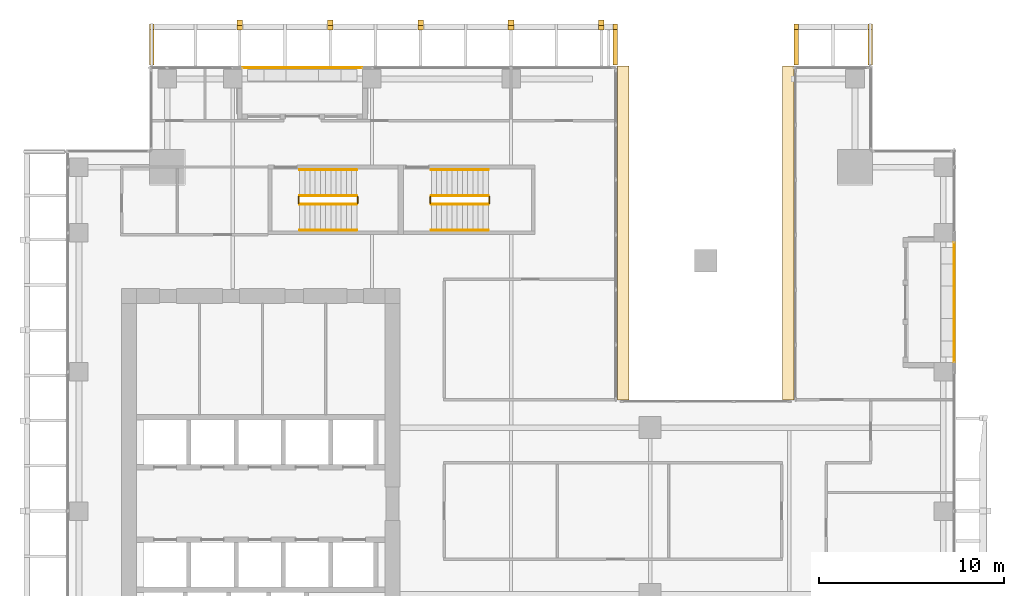
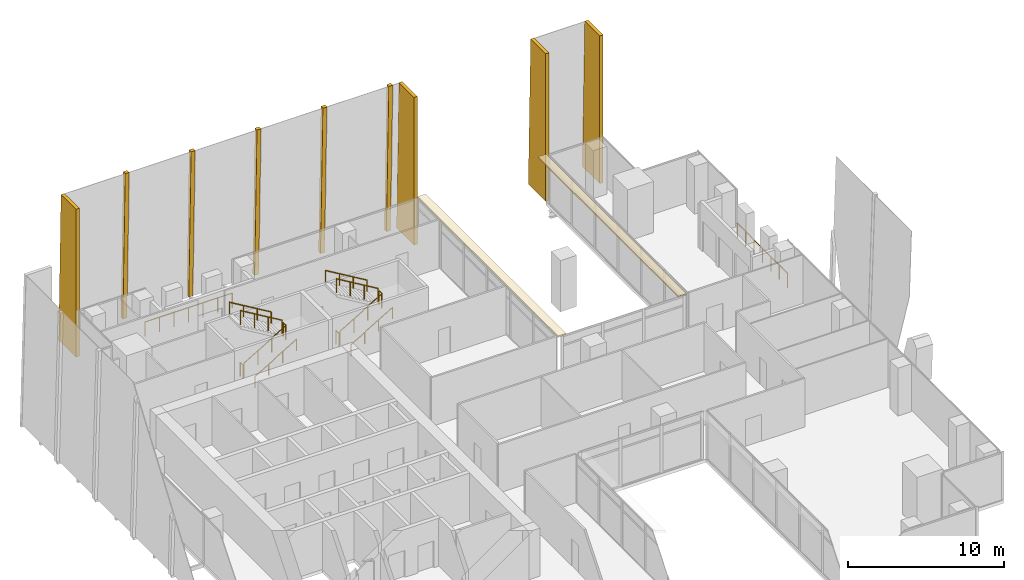
# One storey, part 39 of 40: 14 railings, 11 coverings.
"""IFC4 building model written with IfcOpenShell, lengths in metres."""

import ifcopenshell
import ifcopenshell.guid

model = None  # the IFC model being written
_history = None  # IfcOwnerHistory: only IFC2X3 demands one
_inside = {}  # id of a spatial element -> (the spatial element, [elements in it])
_under = {}  # id of a project, library or spatial element -> (it, [spatial elements below it])
_declared = {}  # id of a project -> (the project, [libraries it declares])
_typed = {}  # id of a type object -> (the type object, [elements of that type])
_made_of = {}  # id of a material, layer set ... -> (it, [elements and type objects made of it])


def new_model(schema):
    """Start an empty IFC model of exactly this schema.

    Asked for "IFC4X3", IfcOpenShell would pick the latest addendum, in which some entities
    have other attributes; the version numbers below select the first issue.
    IFC2X3 requires an IfcOwnerHistory on every rooted entity: one is made here for all.
    """
    global model, _history
    if schema == "IFC4X3":
        model = ifcopenshell.file(schema_version=(4, 3, 0, 0))
    else:
        model = ifcopenshell.file(schema=schema)
    _inside.clear()
    _under.clear()
    _declared.clear()
    _typed.clear()
    _made_of.clear()
    _history = None
    if model.schema == "IFC2X3":
        org = make("IfcOrganization", Name="unknown")
        user = make(
            "IfcPersonAndOrganization",
            ThePerson=make("IfcPerson", FamilyName="unknown"),
            TheOrganization=org,
        )
        app = make(
            "IfcApplication",
            ApplicationDeveloper=org,
            Version="unknown",
            ApplicationFullName="unknown",
            ApplicationIdentifier="unknown",
        )
        _history = make(
            "IfcOwnerHistory",
            OwningUser=user,
            OwningApplication=app,
            ChangeAction="ADDED",
            CreationDate=0,
        )
    return model


def make(cls, **values):
    """One entity of the class cls with the attributes given. An attribute that is None is left unset."""
    return model.create_entity(
        cls, **{name: value for name, value in values.items() if value is not None}
    )


def rooted(cls, **values):
    """An entity with a GlobalId (a new one), such as an element, a storey or a relation."""
    return make(cls, GlobalId=ifcopenshell.guid.new(), OwnerHistory=_history, **values)


def si_unit(unit_type, name, prefix=None):
    """IfcSIUnit, for example si_unit("LENGTHUNIT", "METRE", prefix="MILLI")."""
    return make("IfcSIUnit", UnitType=unit_type, Prefix=prefix, Name=name)


def assignment(units):
    """IfcUnitAssignment: the units of a project."""
    return None if units is None else make("IfcUnitAssignment", Units=units)


def point(xyz):
    """IfcCartesianPoint."""
    return None if xyz is None else make("IfcCartesianPoint", Coordinates=xyz)


def direction(xyz):
    """IfcDirection."""
    return None if xyz is None else make("IfcDirection", DirectionRatios=xyz)


def frame(location, z_axis=None, x_axis=None):
    """IfcAxis2Placement3D, a coordinate frame: its origin and axes. An axis left out is left unset."""
    return make(
        "IfcAxis2Placement3D",
        Location=point(location),
        Axis=direction(z_axis),
        RefDirection=direction(x_axis),
    )


def frame_2d(location, x_axis=None):
    """IfcAxis2Placement2D, a coordinate frame in the plane: its origin and x axis."""
    return make(
        "IfcAxis2Placement2D", Location=point(location), RefDirection=direction(x_axis)
    )


def origin():
    """The frame at (0, 0, 0) with its axes left unset."""
    return frame((0.0, 0.0, 0.0))


def origin_2d():
    """The frame at (0, 0) in the plane with its x axis left unset."""
    return frame_2d((0.0, 0.0))


def place(relative_to, where):
    """IfcLocalPlacement: puts the frame where relative to a parent placement (None: the world)."""
    return make(
        "IfcLocalPlacement", PlacementRelTo=relative_to, RelativePlacement=where
    )


def context(
    kind, dimensions, precision=None, world=None, true_north=None, identifier=None
):
    """IfcGeometricRepresentationContext, for example the 3D "Model" context."""
    return make(
        "IfcGeometricRepresentationContext",
        ContextIdentifier=identifier,
        ContextType=kind,
        CoordinateSpaceDimension=dimensions,
        Precision=precision,
        WorldCoordinateSystem=world,
        TrueNorth=true_north,
    )


def subcontext(parent, identifier, kind, view, scale=None):
    """IfcGeometricRepresentationSubContext, for example "Body" below "Model"."""
    return make(
        "IfcGeometricRepresentationSubContext",
        ContextIdentifier=identifier,
        ContextType=kind,
        ParentContext=parent,
        TargetScale=scale,
        TargetView=view,
    )


def project(units=None, contexts=None):
    """IfcProject with its units and contexts."""
    return rooted(
        "IfcProject",
        Name="project",
        RepresentationContexts=contexts,
        UnitsInContext=assignment(units),
    )


def spatial(cls, under=None, at=None, **own):
    """A site, building, storey or space (cls), placed at a placement, below another one or the project."""
    s = rooted(cls, ObjectPlacement=at, **own)
    if under is not None:
        _under.setdefault(under.id(), (under, []))[1].append(s)
    return s


def polyline(points):
    """IfcPolyline through the points."""
    return make("IfcPolyline", Points=[point(p) for p in points])


def profile(cls, at=None, kind="AREA", **sizes):
    """A parametric profile (cls). Its sizes go by their IFC names, for example OverallWidth=200.0."""
    return make(cls, ProfileType=kind, Position=at, **sizes)


def circle(**sizes):
    """IfcCircleProfileDef."""
    return profile("IfcCircleProfileDef", **sizes)


def outline(outer, holes=None, kind="AREA"):
    """IfcArbitraryClosedProfileDef: a profile drawn as a closed curve; with holes, ...WithVoids."""
    if holes is None:
        return make("IfcArbitraryClosedProfileDef", ProfileType=kind, OuterCurve=outer)
    return make(
        "IfcArbitraryProfileDefWithVoids",
        ProfileType=kind,
        OuterCurve=outer,
        InnerCurves=holes,
    )


def extrude(swept, where, along, depth):
    """IfcExtrudedAreaSolid: the profile swept, set in the frame where, extruded along a direction by depth."""
    return make(
        "IfcExtrudedAreaSolid",
        SweptArea=swept,
        Position=where,
        ExtrudedDirection=direction(along),
        Depth=depth,
    )


def shape(context_of_items, identifier, shape_type, items):
    """IfcShapeRepresentation: the items that make up one representation, for example the "Body"."""
    return make(
        "IfcShapeRepresentation",
        ContextOfItems=context_of_items,
        RepresentationIdentifier=identifier,
        RepresentationType=shape_type,
        Items=items,
    )


def source(mapping_origin, context_of_items, identifier, shape_type, items):
    """IfcRepresentationMap: a shape defined once, which mapped items show again and again."""
    return make(
        "IfcRepresentationMap",
        MappingOrigin=mapping_origin,
        MappedRepresentation=shape(context_of_items, identifier, shape_type, items),
    )


def transform(
    local_origin,
    x_axis=None,
    y_axis=None,
    z_axis=None,
    scale=None,
    scale2=None,
    scale3=None,
    uniform=True,
):
    """IfcCartesianTransformationOperator3D, or its non-uniform kind. x_axis, y_axis, z_axis: its Axis1, 2, 3."""
    if uniform:
        return make(
            "IfcCartesianTransformationOperator3D",
            Axis1=direction(x_axis),
            Axis2=direction(y_axis),
            LocalOrigin=point(local_origin),
            Scale=scale,
            Axis3=direction(z_axis),
        )
    return make(
        "IfcCartesianTransformationOperator3DnonUniform",
        Axis1=direction(x_axis),
        Axis2=direction(y_axis),
        LocalOrigin=point(local_origin),
        Scale=scale,
        Axis3=direction(z_axis),
        Scale2=scale2,
        Scale3=scale3,
    )


def mapped(mapping_source, mapping_target):
    """IfcMappedItem: shows the shape of a source again, moved by a transform."""
    return make(
        "IfcMappedItem", MappingSource=mapping_source, MappingTarget=mapping_target
    )


def material(Name=None, Category=None):
    """IfcMaterial."""
    return make("IfcMaterial", Name=Name, Category=Category)


def layer(
    of_material, thickness, ventilated=None, Name=None, Category=None, Priority=None
):
    """IfcMaterialLayer: one layer of a wall or slab, of a material (None: an air gap)."""
    return make(
        "IfcMaterialLayer",
        Material=of_material,
        LayerThickness=thickness,
        IsVentilated=ventilated,
        Name=Name,
        Category=Category,
        Priority=Priority,
    )


def layer_set(layers, Name=None):
    """IfcMaterialLayerSet."""
    return make("IfcMaterialLayerSet", MaterialLayers=layers, LayerSetName=Name)


def made_of(thing, what):
    """Note that an element or type object is made of a material, layer set ...; save() writes the relation."""
    if what is not None:
        _made_of.setdefault(what.id(), (what, []))[1].append(thing)
    return thing


def type_object(cls, material=None, **own):
    """A type object (cls), such as IfcWallType, which elements share."""
    return made_of(rooted(cls, **own), material)


def element(
    cls,
    number,
    at=None,
    inside=None,
    cuts=None,
    type_object=None,
    material=None,
    context=None,
    identifier="Body",
    shape_type=None,
    held_by="IfcProductDefinitionShape",
    body=None,
    shapes=None,
    **own,
):
    """One element of the class cls, such as IfcWall. Its Tag is "e" and its number.

    at: its placement. inside: the storey or other place that contains it. cuts: it is an
    opening in that element (IfcRelVoidsElement). A single representation is given by context,
    identifier, shape_type and body (its items); several are given by shapes. held_by: the class
    of the entity that holds the representations. save() writes the other relations.
    """
    e = rooted(cls, Tag="e%d" % number, ObjectPlacement=at, **own)
    if body is not None:
        shapes = [shape(context, identifier, shape_type, body)]
    if shapes is not None:
        e.Representation = make(held_by, Representations=shapes)
    if inside is not None:
        _inside.setdefault(inside.id(), (inside, []))[1].append(e)
    if cuts is not None:
        rooted(
            "IfcRelVoidsElement", RelatingBuildingElement=cuts, RelatedOpeningElement=e
        )
    if type_object is not None:
        _typed.setdefault(type_object.id(), (type_object, []))[1].append(e)
    return made_of(e, material)


def aggregate(whole, parts):
    """IfcRelAggregates: a whole, such as a stair, and the parts it consists of."""
    return rooted("IfcRelAggregates", RelatingObject=whole, RelatedObjects=parts)


def save(model, path):
    """Write the relations noted so far, then the file.

    IfcRelAggregates (storeys below a building ...), IfcRelContainedInSpatialStructure (elements
    in a storey), IfcRelDefinesByType, IfcRelAssociatesMaterial and IfcRelDeclares: one each for
    every whole, place, type object, material and project.
    """
    for whole, parts in _under.values():
        aggregate(whole, parts)
    for where, things in _inside.values():
        rooted(
            "IfcRelContainedInSpatialStructure",
            RelatedElements=things,
            RelatingStructure=where,
        )
    for kind, things in _typed.values():
        rooted("IfcRelDefinesByType", RelatedObjects=things, RelatingType=kind)
    for what, things in _made_of.values():
        rooted("IfcRelAssociatesMaterial", RelatedObjects=things, RelatingMaterial=what)
    for by, libraries in _declared.values():
        rooted("IfcRelDeclares", RelatingContext=by, RelatedDefinitions=libraries)
    model.write(path)


model = new_model("IFC4")

# Units and contexts
model_context = context("Model", 3, precision=1e-05, world=origin(), true_north=direction((0.0, 1.0)))
body_context = subcontext(model_context, "Body", "Model", "MODEL_VIEW")
ifc_project = project(units=[si_unit("LENGTHUNIT", "METRE"), si_unit("AREAUNIT", "SQUARE_METRE"), si_unit("VOLUMEUNIT", "CUBIC_METRE"), si_unit("PLANEANGLEUNIT", "RADIAN"), si_unit("MASSUNIT", "GRAM", prefix="KILO")], contexts=[model_context])

# Site, building, storey
site_placement = place(None, origin())
site = spatial("IfcSite", under=ifc_project, at=site_placement, CompositionType="ELEMENT")
building_placement = place(site_placement, origin())
building = spatial("IfcBuilding", under=site, at=building_placement, Name="Khomas Fold Tower", CompositionType="ELEMENT")
storey_placement = place(building_placement, frame((0.0, 0.0, 176.699951171875)))
storey = spatial("IfcBuildingStorey", under=building, at=storey_placement, Name="L38", CompositionType="ELEMENT", Elevation=176.699951171875)

# Coverings
ifc_material_1 = material(Name="Natural stone cladding", Category="masonry")
ifc_layer_1 = layer(ifc_material_1, 0.25)
ifc_layer_set_1 = layer_set([ifc_layer_1], Name="Natural stone cladding")
covering_type_1 = type_object("IfcCoveringType", Name="SK-Karibib marble stone mullion", PredefinedType="CLADDING", material=ifc_layer_set_1)
for number, where, z_axis, x_axis, name in (
    (1, (12.22509765625, 53.480712890625, 0.006591796875), (0.0, 0.999657230839, 0.026180543005), (1.0, 0.0, 0.0), "OUTER SKIN mullion L38 N2"),
    (2, (17.10009765625, 53.480712890625, 0.006591796875), (0.0, 0.999657230839, 0.026180543005), (1.0, 0.0, 0.0), "OUTER SKIN mullion L38 N4"),
    (3, (21.97509765625, 53.480712890625, 0.006591796875), (0.0, 0.999657230839, 0.026180543005), (1.0, 0.0, 0.0), "OUTER SKIN mullion L38 N6"),
    (4, (26.85009765625, 53.480712890625, 0.006591796875), (0.0, 0.999657230839, 0.026180543005), (1.0, 0.0, 0.0), "OUTER SKIN mullion L38 N8"),
    (5, (31.72509765625, 53.480712890625, 0.006591796875), (0.0, 0.999657230839, 0.026180543005), (1.0, 0.0, 0.0), "OUTER SKIN mullion L38 N10"),
):
    element("IfcCovering", number, at=place(storey_placement, frame(where, z_axis=z_axis, x_axis=x_axis)), inside=storey, type_object=covering_type_1, Name=name, PredefinedType="CLADDING", context=body_context, shape_type="SweptSolid", body=[
        extrude(outline(polyline([(0.0, 0.0), (0.2998046875, 0.0), (0.2998046875, -11.554009186164079), (0.0, -11.554009186164079), (0.0, 0.0)])), origin(), (0.0, 0.0, -1.0), 0.25),
    ])
covering_1_placement = place(storey_placement, frame((32.75, 51.050048828125, 0.0), z_axis=(1.0, 0.0, 0.0), x_axis=(0.0, 1.0, 0.0)))
element("IfcCovering", 6, at=covering_1_placement, inside=storey, type_object=covering_type_1, Name="OUTER SKIN return L38 NH1", PredefinedType="CLADDING", context=body_context, shape_type="SweptSolid", body=[
    extrude(outline(polyline([(0.0, 0.0), (2.220703125, 0.0), (1.918212890625, 11.550048828125), (0.0, 11.550048828125), (0.0, 0.0)])), origin(), (0.0, 0.0, -1.0), 0.25),
])
for number, where, z_axis, x_axis, name in (
    (7, (42.25, 51.050048828125, 11.550048828125), (-1.0, 0.0, 0.0), (0.0, 1.0, 0.0), "OUTER SKIN return L38 NH2"),
    (8, (7.5, 51.050048828125, 11.550048828125), (-1.0, 0.0, 0.0), (0.0, 1.0, 0.0), "OUTER SKIN return L38 N1"),
):
    element("IfcCovering", number, at=place(storey_placement, frame(where, z_axis=z_axis, x_axis=x_axis)), inside=storey, type_object=covering_type_1, Name=name, PredefinedType="CLADDING", context=body_context, shape_type="SweptSolid", body=[
        extrude(outline(polyline([(0.0, 0.0), (1.918212890625, 0.0), (2.220703125, 11.550048828125), (0.0, 11.550048828125), (0.0, 0.0)])), origin(), (0.0, 0.0, -1.0), 0.25),
    ])
covering_2_placement = place(storey_placement, frame((46.5, 51.050048828125, 0.0), z_axis=(1.0, 0.0, 0.0), x_axis=(0.0, 1.0, 0.0)))
element("IfcCovering", 9, at=covering_2_placement, inside=storey, type_object=covering_type_1, Name="OUTER SKIN return L38 N2", PredefinedType="CLADDING", context=body_context, shape_type="SweptSolid", body=[
    extrude(outline(polyline([(0.0, 0.0), (2.220703125, 0.0), (1.918212890625, 11.550048828125), (0.0, 11.550048828125), (0.0, 0.0)])), origin(), (0.0, 0.0, -1.0), 0.25),
])

# Railings
ifc_material_2 = material(Name="Powder-coated steel", Category="steel")
railing_type_1 = type_object("IfcRailingType", Name="Balcony guard", PredefinedType="GUARDRAIL", material=ifc_material_2)
shared_shape_1 = source(origin(), body_context, "Body", "SweptSolid", [
    extrude(circle(Radius=0.02490234375, at=origin_2d()), frame((0.0, 0.0, 1.125), z_axis=(1.0, 0.0, 0.0), x_axis=(0.0, 1.0, 0.0)), (0.0, 0.0, 1.0), 6.43994140625),
    extrude(circle(Radius=0.02001953125, at=origin_2d()), origin(), (0.0, 0.0, 1.0), 1.099853515625),
    extrude(circle(Radius=0.02001953125, at=origin_2d()), frame((1.0732421875, 0.0, 0.0)), (0.0, 0.0, 1.0), 1.099853515625),
    extrude(circle(Radius=0.02001953125, at=origin_2d()), frame((2.146728515625, 0.0, 0.0)), (0.0, 0.0, 1.0), 1.099853515625),
    extrude(circle(Radius=0.02001953125, at=origin_2d()), frame((3.219970703125, 0.0, 0.0)), (0.0, 0.0, 1.0), 1.099853515625),
    extrude(circle(Radius=0.02001953125, at=origin_2d()), frame((4.293212890625, 0.0, 0.0)), (0.0, 0.0, 1.0), 1.099853515625),
    extrude(circle(Radius=0.02001953125, at=origin_2d()), frame((5.36669921875, 0.0, 0.0)), (0.0, 0.0, 1.0), 1.099853515625),
    extrude(circle(Radius=0.02001953125, at=origin_2d()), frame((6.43994140625, 0.0, 0.0)), (0.0, 0.0, 1.0), 1.099853515625),
])
railing_1_placement = place(storey_placement, frame((12.530029296875, 50.89990234375, -0.044921875)))
element("IfcRailing", 10, at=railing_1_placement, inside=storey, type_object=railing_type_1, Name="Balcony guard BAL-L38-N1", PredefinedType="GUARDRAIL", context=body_context, shape_type="MappedRepresentation", body=[
    mapped(shared_shape_1, transform((0.0, 0.0, 0.0))),
])
shared_shape_2 = source(origin(), body_context, "Body", "SweptSolid", [
    extrude(circle(Radius=0.02490234375, at=origin_2d()), frame((0.0, 0.0, 1.125), z_axis=(0.0, 1.0, 0.0), x_axis=(-1.0, 0.0, 0.0)), (0.0, 0.0, 1.0), 6.43994140625),
    extrude(circle(Radius=0.02001953125, at=origin_2d()), origin(), (0.0, 0.0, 1.0), 1.099853515625),
    extrude(circle(Radius=0.02001953125, at=origin_2d()), frame((0.0, 1.0732421875, 0.0)), (0.0, 0.0, 1.0), 1.099853515625),
    extrude(circle(Radius=0.02001953125, at=origin_2d()), frame((0.0, 2.146728515625, 0.0)), (0.0, 0.0, 1.0), 1.099853515625),
    extrude(circle(Radius=0.02001953125, at=origin_2d()), frame((0.0, 3.219970703125, 0.0)), (0.0, 0.0, 1.0), 1.099853515625),
    extrude(circle(Radius=0.02001953125, at=origin_2d()), frame((0.0, 4.293212890625, 0.0)), (0.0, 0.0, 1.0), 1.099853515625),
    extrude(circle(Radius=0.02001953125, at=origin_2d()), frame((0.0, 5.36669921875, 0.0)), (0.0, 0.0, 1.0), 1.099853515625),
    extrude(circle(Radius=0.02001953125, at=origin_2d()), frame((0.0, 6.43994140625, 0.0)), (0.0, 0.0, 1.0), 1.099853515625),
])
railing_2_placement = place(storey_placement, frame((50.89990234375, 35.030029296875, -0.044921875)))
element("IfcRailing", 11, at=railing_2_placement, inside=storey, type_object=railing_type_1, Name="Balcony guard BAL-L38-E4", PredefinedType="GUARDRAIL", context=body_context, shape_type="MappedRepresentation", body=[
    mapped(shared_shape_2, transform((0.0, 0.0, 0.0))),
])

# Coverings
ifc_material_3 = material(Name="Natural stone cladding", Category="masonry")
ifc_layer_2 = layer(ifc_material_3, 0.1201171875)
ifc_layer_set_2 = layer_set([ifc_layer_2], Name="Natural stone cladding")
covering_type_2 = type_object("IfcCoveringType", Name="Notch soffit stone GN-SF", PredefinedType="CLADDING", material=ifc_layer_set_2)
shared_shape_3 = source(origin(), body_context, "Body", "SweptSolid", [
    extrude(outline(polyline([(41.64990234375, 51.0), (41.64990234375, 33.0), (42.25, 33.0), (42.25, 51.0), (41.64990234375, 51.0)])), origin(), (0.0, 0.0, 1.0), 0.119873046875),
])
covering_3_placement = place(storey_placement, frame((0.0, 0.0, 3.630126953125)))
element("IfcCovering", 12, at=covering_3_placement, inside=storey, type_object=covering_type_2, Name="Notch soffit stone", PredefinedType="CLADDING", context=body_context, shape_type="MappedRepresentation", body=[
    mapped(shared_shape_3, transform((0.0, 0.0, 0.0))),
])
shared_shape_4 = source(origin(), body_context, "Body", "SweptSolid", [
    extrude(outline(polyline([(33.35009765625, 33.0), (33.35009765625, 51.0), (32.75, 51.0), (32.75, 33.0), (33.35009765625, 33.0)])), origin(), (0.0, 0.0, 1.0), 0.119873046875),
])
covering_4_placement = place(storey_placement, frame((0.0, 0.0, 3.630126953125)))
element("IfcCovering", 13, at=covering_4_placement, inside=storey, type_object=covering_type_2, Name="Notch soffit stone", PredefinedType="CLADDING", context=body_context, shape_type="MappedRepresentation", body=[
    mapped(shared_shape_4, transform((0.0, 0.0, 0.0))),
])

# Railings
ifc_material_4 = material(Name="Steel balustrade", Category="steel")
railing_type_2 = type_object("IfcRailingType", Name="Stair guard", PredefinedType="GUARDRAIL", material=ifc_material_4)
shared_shape_5 = source(origin(), body_context, "Body", "SweptSolid", [
    extrude(circle(Radius=0.02392578125, at=origin_2d()), frame((0.0, 0.0, 1.076171875), z_axis=(0.0, 1.0, 0.0), x_axis=(-1.0, 0.0, 0.0)), (0.0, 0.0, 1.0), 0.349853515625),
    extrude(circle(Radius=0.02099609375, at=origin_2d()), origin(), (0.0, 0.0, 1.0), 1.052001953125),
    extrude(circle(Radius=0.02099609375, at=origin_2d()), frame((0.0, 0.349853515625, 0.0)), (0.0, 0.0, 1.0), 1.052001953125),
])
for number, where, name in (
    (14, (18.72998046875, 43.60009765625, 2.0), "L38 ST1 stair guard 2"),
    (15, (15.550048828125, 43.60009765625, 0.0), "L38 ST1 stair guard 4"),
    (16, (25.830078125, 43.60009765625, 2.0), "L38 ST3 stair guard 2"),
    (17, (22.64990234375, 43.60009765625, 0.0), "L38 ST3 stair guard 4"),
):
    element("IfcRailing", number, at=place(storey_placement, frame(where)), inside=storey, type_object=railing_type_2, Name=name, PredefinedType="GUARDRAIL", context=body_context, shape_type="MappedRepresentation", body=[
        mapped(shared_shape_5, transform((0.0, 0.0, 0.0))),
    ])
shared_shape_6 = source(origin(), body_context, "Body", "SweptSolid", [
    extrude(circle(Radius=0.02392578125, at=origin_2d()), frame((0.0, 0.0, 1.076171875), z_axis=(0.859290745958, 0.0, 0.51148745235), x_axis=(0.0, 1.0, 0.0)), (0.0, 0.0, 1.0), 3.584228515625),
    extrude(circle(Radius=0.02099609375, at=origin_2d()), origin(), (0.0, 0.0, 1.0), 1.052001953125),
    extrude(circle(Radius=0.02099609375, at=origin_2d()), frame((1.026611328125, 0.0, 0.611083984375)), (0.0, 0.0, 1.0), 1.052001953125),
    extrude(circle(Radius=0.02099609375, at=origin_2d()), frame((2.05322265625, 0.0, 1.22216796875)), (0.0, 0.0, 1.0), 1.052001953125),
    extrude(circle(Radius=0.02099609375, at=origin_2d()), frame((3.079833984375, 0.0, 1.833251953125)), (0.0, 0.0, 1.0), 1.052001953125),
])
railing_3_placement = place(storey_placement, frame((15.60009765625, 43.550048828125, 0.166748046875)))
element("IfcRailing", 18, at=railing_3_placement, inside=storey, type_object=railing_type_2, Name="L38 ST1 stair guard 1", PredefinedType="GUARDRAIL", context=body_context, shape_type="MappedRepresentation", body=[
    mapped(shared_shape_6, transform((0.0, 0.0, 0.0))),
])
shared_shape_7 = source(origin(), body_context, "Body", "SweptSolid", [
    extrude(circle(Radius=0.02392578125, at=origin_2d()), frame((0.0, 0.0, 1.076171875), z_axis=(-0.859290745958, 0.0, 0.51148745235), x_axis=(0.0, -1.0, 0.0)), (0.0, 0.0, 1.0), 3.584228515625),
    extrude(circle(Radius=0.02099609375, at=origin_2d()), origin(), (0.0, 0.0, 1.0), 1.052001953125),
    extrude(circle(Radius=0.02099609375, at=origin_2d()), frame((-1.026611328125, 0.0, 0.611083984375)), (0.0, 0.0, 1.0), 1.052001953125),
    extrude(circle(Radius=0.02099609375, at=origin_2d()), frame((-2.05322265625, 0.0, 1.22216796875)), (0.0, 0.0, 1.0), 1.052001953125),
    extrude(circle(Radius=0.02099609375, at=origin_2d()), frame((-3.079833984375, 0.0, 1.833251953125)), (0.0, 0.0, 1.0), 1.052001953125),
])
railing_4_placement = place(storey_placement, frame((18.679931640625, 44.0, 2.166748046875)))
element("IfcRailing", 19, at=railing_4_placement, inside=storey, type_object=railing_type_2, Name="L38 ST1 stair guard 3", PredefinedType="GUARDRAIL", context=body_context, shape_type="MappedRepresentation", body=[
    mapped(shared_shape_7, transform((0.0, 0.0, 0.0))),
])
ifc_material_5 = material(Name="Steel handrail", Category="steel")
railing_type_3 = type_object("IfcRailingType", Name="Stair handrail", PredefinedType="HANDRAIL", material=ifc_material_5)
shared_shape_8 = source(origin(), body_context, "Body", "SweptSolid", [
    extrude(circle(Radius=0.02392578125, at=origin_2d()), frame((0.0, 0.0, 0.8759765625), z_axis=(0.859290745958, 0.0, 0.51148745235), x_axis=(0.0, 1.0, 0.0)), (0.0, 0.0, 1.0), 3.584228515625),
    extrude(circle(Radius=0.02099609375, at=origin_2d()), origin(), (0.0, 0.0, 1.0), 0.851806640625),
    extrude(circle(Radius=0.02099609375, at=origin_2d()), frame((1.026611328125, 0.0, 0.611083984375)), (0.0, 0.0, 1.0), 0.851806640625),
    extrude(circle(Radius=0.02099609375, at=origin_2d()), frame((2.05322265625, 0.0, 1.22216796875)), (0.0, 0.0, 1.0), 0.851806640625),
    extrude(circle(Radius=0.02099609375, at=origin_2d()), frame((3.079833984375, 0.0, 1.833251953125)), (0.0, 0.0, 1.0), 0.851806640625),
])
railing_5_placement = place(storey_placement, frame((15.60009765625, 42.14990234375, 0.166748046875)))
element("IfcRailing", 20, at=railing_5_placement, inside=storey, type_object=railing_type_3, Name="L38 ST1 stair handrail 1", PredefinedType="HANDRAIL", context=body_context, shape_type="MappedRepresentation", body=[
    mapped(shared_shape_8, transform((0.0, 0.0, 0.0))),
])
shared_shape_9 = source(origin(), body_context, "Body", "SweptSolid", [
    extrude(circle(Radius=0.02392578125, at=origin_2d()), frame((0.0, 0.0, 0.8759765625), z_axis=(-0.859290745958, 0.0, 0.51148745235), x_axis=(0.0, -1.0, 0.0)), (0.0, 0.0, 1.0), 3.584228515625),
    extrude(circle(Radius=0.02099609375, at=origin_2d()), origin(), (0.0, 0.0, 1.0), 0.851806640625),
    extrude(circle(Radius=0.02099609375, at=origin_2d()), frame((-1.026611328125, 0.0, 0.611083984375)), (0.0, 0.0, 1.0), 0.851806640625),
    extrude(circle(Radius=0.02099609375, at=origin_2d()), frame((-2.05322265625, 0.0, 1.22216796875)), (0.0, 0.0, 1.0), 0.851806640625),
    extrude(circle(Radius=0.02099609375, at=origin_2d()), frame((-3.079833984375, 0.0, 1.833251953125)), (0.0, 0.0, 1.0), 0.851806640625),
])
railing_6_placement = place(storey_placement, frame((18.679931640625, 45.39990234375, 2.166748046875)))
element("IfcRailing", 21, at=railing_6_placement, inside=storey, type_object=railing_type_3, Name="L38 ST1 stair handrail 2", PredefinedType="HANDRAIL", context=body_context, shape_type="MappedRepresentation", body=[
    mapped(shared_shape_9, transform((0.0, 0.0, 0.0))),
])
shared_shape_10 = source(origin(), body_context, "Body", "SweptSolid", [
    extrude(circle(Radius=0.02392578125, at=origin_2d()), frame((0.0, 0.0, 1.076171875), z_axis=(0.859308565015, 0.0, 0.511457515432), x_axis=(0.0, 1.0, 0.0)), (0.0, 0.0, 1.0), 3.58447265625),
    extrude(circle(Radius=0.02099609375, at=origin_2d()), origin(), (0.0, 0.0, 1.0), 1.052001953125),
    extrude(circle(Radius=0.02099609375, at=origin_2d()), frame((1.026611328125, 0.0, 0.611083984375)), (0.0, 0.0, 1.0), 1.052001953125),
    extrude(circle(Radius=0.02099609375, at=origin_2d()), frame((2.053466796875, 0.0, 1.22216796875)), (0.0, 0.0, 1.0), 1.052001953125),
    extrude(circle(Radius=0.02099609375, at=origin_2d()), frame((3.080078125, 0.0, 1.833251953125)), (0.0, 0.0, 1.0), 1.052001953125),
])
railing_7_placement = place(storey_placement, frame((22.699951171875, 43.550048828125, 0.166748046875)))
element("IfcRailing", 22, at=railing_7_placement, inside=storey, type_object=railing_type_2, Name="L38 ST3 stair guard 1", PredefinedType="GUARDRAIL", context=body_context, shape_type="MappedRepresentation", body=[
    mapped(shared_shape_10, transform((0.0, 0.0, 0.0))),
])
shared_shape_11 = source(origin(), body_context, "Body", "SweptSolid", [
    extrude(circle(Radius=0.02392578125, at=origin_2d()), frame((0.0, 0.0, 1.076171875), z_axis=(-0.859308565015, 0.0, 0.511457515432), x_axis=(0.0, -1.0, 0.0)), (0.0, 0.0, 1.0), 3.58447265625),
    extrude(circle(Radius=0.02099609375, at=origin_2d()), origin(), (0.0, 0.0, 1.0), 1.052001953125),
    extrude(circle(Radius=0.02099609375, at=origin_2d()), frame((-1.026611328125, 0.0, 0.611083984375)), (0.0, 0.0, 1.0), 1.052001953125),
    extrude(circle(Radius=0.02099609375, at=origin_2d()), frame((-2.053466796875, 0.0, 1.22216796875)), (0.0, 0.0, 1.0), 1.052001953125),
    extrude(circle(Radius=0.02099609375, at=origin_2d()), frame((-3.080078125, 0.0, 1.833251953125)), (0.0, 0.0, 1.0), 1.052001953125),
])
railing_8_placement = place(storey_placement, frame((25.780029296875, 44.0, 2.166748046875)))
element("IfcRailing", 23, at=railing_8_placement, inside=storey, type_object=railing_type_2, Name="L38 ST3 stair guard 3", PredefinedType="GUARDRAIL", context=body_context, shape_type="MappedRepresentation", body=[
    mapped(shared_shape_11, transform((0.0, 0.0, 0.0))),
])
shared_shape_12 = source(origin(), body_context, "Body", "SweptSolid", [
    extrude(circle(Radius=0.02392578125, at=origin_2d()), frame((0.0, 0.0, 0.8759765625), z_axis=(0.859308565015, 0.0, 0.511457515432), x_axis=(0.0, 1.0, 0.0)), (0.0, 0.0, 1.0), 3.58447265625),
    extrude(circle(Radius=0.02099609375, at=origin_2d()), origin(), (0.0, 0.0, 1.0), 0.851806640625),
    extrude(circle(Radius=0.02099609375, at=origin_2d()), frame((1.026611328125, 0.0, 0.611083984375)), (0.0, 0.0, 1.0), 0.851806640625),
    extrude(circle(Radius=0.02099609375, at=origin_2d()), frame((2.053466796875, 0.0, 1.22216796875)), (0.0, 0.0, 1.0), 0.851806640625),
    extrude(circle(Radius=0.02099609375, at=origin_2d()), frame((3.080078125, 0.0, 1.833251953125)), (0.0, 0.0, 1.0), 0.851806640625),
])
railing_9_placement = place(storey_placement, frame((22.699951171875, 42.14990234375, 0.166748046875)))
element("IfcRailing", 24, at=railing_9_placement, inside=storey, type_object=railing_type_3, Name="L38 ST3 stair handrail 1", PredefinedType="HANDRAIL", context=body_context, shape_type="MappedRepresentation", body=[
    mapped(shared_shape_12, transform((0.0, 0.0, 0.0))),
])
shared_shape_13 = source(origin(), body_context, "Body", "SweptSolid", [
    extrude(circle(Radius=0.02392578125, at=origin_2d()), frame((0.0, 0.0, 0.8759765625), z_axis=(-0.859308565015, 0.0, 0.511457515432), x_axis=(0.0, -1.0, 0.0)), (0.0, 0.0, 1.0), 3.58447265625),
    extrude(circle(Radius=0.02099609375, at=origin_2d()), origin(), (0.0, 0.0, 1.0), 0.851806640625),
    extrude(circle(Radius=0.02099609375, at=origin_2d()), frame((-1.026611328125, 0.0, 0.611083984375)), (0.0, 0.0, 1.0), 0.851806640625),
    extrude(circle(Radius=0.02099609375, at=origin_2d()), frame((-2.053466796875, 0.0, 1.22216796875)), (0.0, 0.0, 1.0), 0.851806640625),
    extrude(circle(Radius=0.02099609375, at=origin_2d()), frame((-3.080078125, 0.0, 1.833251953125)), (0.0, 0.0, 1.0), 0.851806640625),
])
railing_10_placement = place(storey_placement, frame((25.780029296875, 45.39990234375, 2.166748046875)))
element("IfcRailing", 25, at=railing_10_placement, inside=storey, type_object=railing_type_3, Name="L38 ST3 stair handrail 2", PredefinedType="HANDRAIL", context=body_context, shape_type="MappedRepresentation", body=[
    mapped(shared_shape_13, transform((0.0, 0.0, 0.0))),
])

save(model, "model.ifc")
